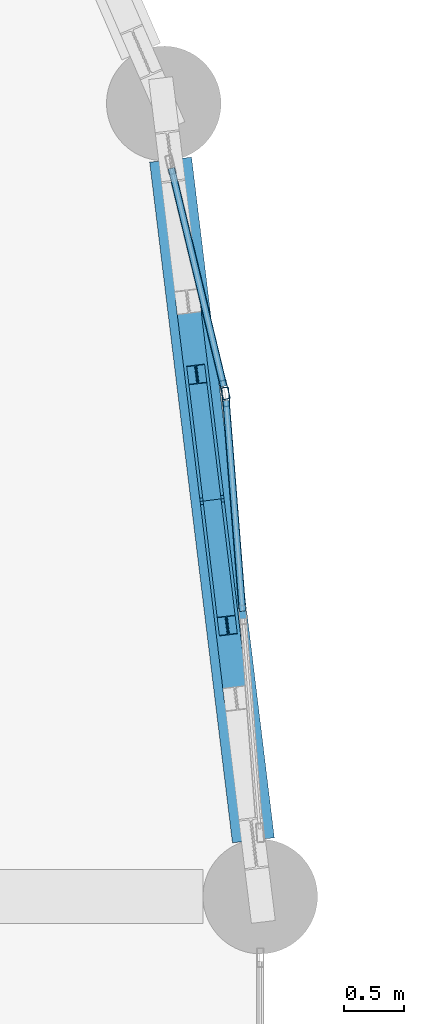
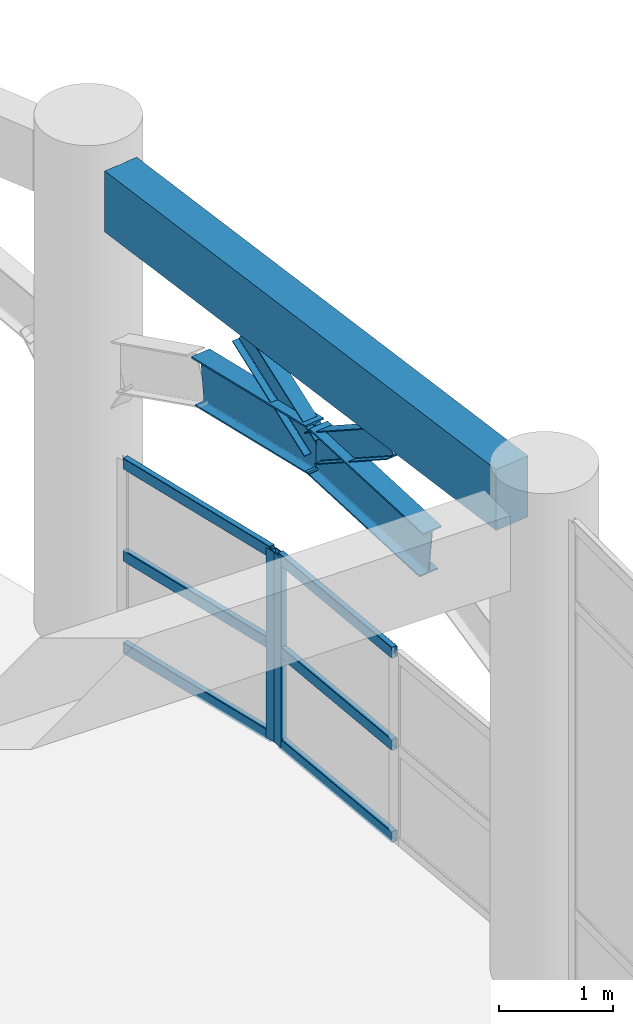
# One storey, part 74 of 114: 10 members, 3 beams, 2 elements without a shape of their own.
"""IFC4 building model written with IfcOpenShell, lengths in metres."""

from ifc_helpers import new_model, si_unit, derived_unit, direction, frame, origin, origin_2d, place, context, subcontext, project, spatial, rectangle, hollow_rectangle, i_section, extrude, material, layer, layer_set, material_profile, profile_set, type_object, element, aggregate, save


model = new_model("IFC4")

# Units and contexts
model_context = context("Model", 3, precision=1e-05, world=origin(), true_north=direction((0.0, 1.0)))
body_context = subcontext(model_context, "Body", "Model", "MODEL_VIEW")
ifc_project = project(units=[si_unit("LENGTHUNIT", "METRE"), si_unit("AREAUNIT", "SQUARE_METRE"), si_unit("VOLUMEUNIT", "CUBIC_METRE"), si_unit("PLANEANGLEUNIT", "RADIAN"), si_unit("MASSUNIT", "GRAM", prefix="KILO"), derived_unit("THERMALTRANSMITTANCEUNIT", [(si_unit("MASSUNIT", "GRAM", prefix="KILO"), 1), (si_unit("TIMEUNIT", "SECOND"), -3), (si_unit("THERMODYNAMICTEMPERATUREUNIT", "KELVIN"), -1)])], contexts=[model_context])

# Site, building, storey
site_placement = place(None, origin())
site = spatial("IfcSite", under=ifc_project, at=site_placement, CompositionType="ELEMENT")
building_placement = place(site_placement, origin())
building = spatial("IfcBuilding", under=site, at=building_placement, Name="Qinzheling Arcade Emporium", CompositionType="ELEMENT")
storey_placement = place(building_placement, frame((0.0, 0.0, 6.0)))
storey = spatial("IfcBuildingStorey", under=building, at=storey_placement, Name="L02", CompositionType="ELEMENT", Elevation=6.0)

# Beams
ifc_material_1 = material(Name="Weathering steel Q355NH", Category="steel")
ifc_material_profile_1 = material_profile(ifc_material_1, i_section(OverallWidth=0.199951171875, OverallDepth=0.5, WebThickness=0.010009765625, FlangeThickness=0.01611328125, FilletRadius=0.01806640625, at=origin_2d()), Name="HN 500x200x10x16", Category="steel")
ifc_profile_set_1 = profile_set([ifc_material_profile_1], Name="Weathering steel Q355NH")
beam_type_1 = type_object("IfcBeamType", Name="Arcade End Arch Rib HN500 Q355NH", PredefinedType="BEAM", material=ifc_profile_set_1)
beam_1_placement = place(storey_placement, frame((147.699951171875, 92.2451171875, 3.52392578125), z_axis=(-0.119797268603, 0.98616994496, 0.114531454599), x_axis=(-0.992702301076, -0.120590801629, 0.0)))
element("IfcBeam", 1, at=beam_1_placement, inside=storey, type_object=beam_type_1, Name="Curved Arcade Entrance Arch ARC-L02-CV6-B01-C03", PredefinedType="BEAM", context=body_context, shape_type="SweptSolid", body=[
    extrude(i_section(OverallWidth=0.199951171875, OverallDepth=0.5, WebThickness=0.010009765625, FlangeThickness=0.01611328125, FilletRadius=0.01806640625, at=origin_2d()), origin(), (0.0, 0.0, 1.0), 1.669189453125),
])
beam_2_placement = place(storey_placement, frame((147.5, 93.89111328125, 3.715087890625), z_axis=(-0.12046077049, 0.986080450533, -0.114606055034), x_axis=(-0.992620810453, -0.121259748702, 0.0)))
element("IfcBeam", 2, at=beam_2_placement, inside=storey, type_object=beam_type_1, Name="Curved Arcade Entrance Arch ARC-L02-CV6-B01-C04", PredefinedType="BEAM", context=body_context, shape_type="SweptSolid", body=[
    extrude(i_section(OverallWidth=0.199951171875, OverallDepth=0.5, WebThickness=0.010009765625, FlangeThickness=0.01611328125, FilletRadius=0.01806640625, at=origin_2d()), origin(), (0.0, 0.0, 1.0), 1.66796875),
])

# Members
ifc_material_profile_2 = material_profile(ifc_material_1, i_section(OverallWidth=0.14990234375, OverallDepth=0.300048828125, WebThickness=0.006591796875, FlangeThickness=0.009033203125, FilletRadius=0.012939453125, at=origin_2d()), Name="HN 300x150x6.5x9", Category="steel")
ifc_profile_set_2 = profile_set([ifc_material_profile_2], Name="Weathering steel Q355NH")
member_type_1 = type_object("IfcMemberType", Name="Arcade Spandrel Web Chord HN300 Q355NH", PredefinedType="CHORD", material=ifc_profile_set_2)
for number, where, z_axis, x_axis, name in (
    (3, (147.5, 93.89111328125, 3.72509765625), (0.10248161912, -0.847658043421, 0.52055101495), (0.99277078385, 0.120025708638, 0.0), "Arcade Spandrel Web Chord ASW-L02-CV6-B01-W1"),
    (4, (147.5, 93.89111328125, 3.72509765625), (-0.103267610544, 0.847588772693, 0.520508475452), (-0.992659504426, -0.120942582545, 0.0), "Arcade Spandrel Web Chord ASW-L02-CV6-B01-W2"),
):
    element("IfcMember", number, at=place(storey_placement, frame(where, z_axis=z_axis, x_axis=x_axis)), inside=storey, type_object=member_type_1, Name=name, PredefinedType="CHORD", context=body_context, shape_type="SweptSolid", body=[
        extrude(i_section(OverallWidth=0.14990234375, OverallDepth=0.300048828125, WebThickness=0.006591796875, FlangeThickness=0.009033203125, FilletRadius=0.012939453125, at=origin_2d()), origin(), (0.0, 0.0, 1.0), 1.229248046875),
    ])

# Curtain wall, member
ifc_material_2 = material(Name="Anodised aluminium and solar-control double glazing", Category="aluminium")
ifc_layer = layer(ifc_material_2, 0.159912109375, Name="Anodised aluminium and solar-control double glazing", Category="aluminium")
ifc_layer_set = layer_set([ifc_layer], Name="Anodised aluminium and solar-control double glazing")
curtain_wall_type = type_object("IfcCurtainWallType", Name="Curved Ribbon Sales Curtain Wall", PredefinedType="NOTDEFINED", material=ifc_layer_set)
curtain_wall_1_placement = place(storey_placement, origin())
curtain_wall_1 = element("IfcCurtainWall", 5, at=curtain_wall_1_placement, inside=storey, type_object=curtain_wall_type, Name="Curtain Wall CW-L02-111", PredefinedType="NOTDEFINED")
ifc_material_3 = material(Name="Anodised aluminium 6063-T6", Category="aluminium")
ifc_material_profile_3 = material_profile(ifc_material_3, hollow_rectangle(XDim=0.06005859375, YDim=0.159912109375, WallThickness=0.00390625, InnerFilletRadius=0.00390625, OuterFilletRadius=0.008056640625, at=origin_2d()), Name="RHS 160x60x4", Category="aluminium")
ifc_profile_set_3 = profile_set([ifc_material_profile_3], Name="Anodised aluminium 6063-T6")
member_type_2 = type_object("IfcMemberType", Name="Curtain Wall Mullion RHS160x60", PredefinedType="MULLION", material=ifc_profile_set_3)
member_1_placement = place(storey_placement, frame((147.60400390625, 94.80517578125, 0.0), z_axis=(0.0, 0.0, 1.0), x_axis=(0.972327728237, 0.233621036939, 0.0)))
member_1 = element("IfcMember", 6, at=member_1_placement, type_object=member_type_2, Name="CW02 mullion 2", PredefinedType="MULLION", context=body_context, shape_type="SweptSolid", body=[
    extrude(hollow_rectangle(XDim=0.06005859375, YDim=0.159912109375, WallThickness=0.00390625, InnerFilletRadius=0.00390625, OuterFilletRadius=0.008056640625, at=origin_2d()), origin(), (0.0, 0.0, 1.0), 2.02490234375),
])

curtain_wall_2_placement = place(storey_placement, origin())
curtain_wall_2 = element("IfcCurtainWall", 7, at=curtain_wall_2_placement, inside=storey, type_object=curtain_wall_type, Name="Curtain Wall CW-L02-112", PredefinedType="NOTDEFINED")
member_2_placement = place(storey_placement, frame((147.61328125, 94.74609375, 0.0), z_axis=(0.0, 0.0, 1.0), x_axis=(0.996923852542, 0.078376222365, 0.0)))
member_2 = element("IfcMember", 8, at=member_2_placement, type_object=member_type_2, Name="CW02 mullion 1", PredefinedType="MULLION", context=body_context, shape_type="SweptSolid", body=[
    extrude(hollow_rectangle(XDim=0.06005859375, YDim=0.159912109375, WallThickness=0.00390625, InnerFilletRadius=0.00390625, OuterFilletRadius=0.008056640625, at=origin_2d()), origin(), (0.0, 0.0, 1.0), 2.02490234375),
])

# Member
ifc_material_profile_4 = material_profile(ifc_material_3, hollow_rectangle(XDim=0.06005859375, YDim=0.1201171875, WallThickness=0.00390625, InnerFilletRadius=0.00390625, OuterFilletRadius=0.008056640625, at=origin_2d()), Name="RHS 120x60x4", Category="aluminium")
ifc_profile_set_4 = profile_set([ifc_material_profile_4], Name="Anodised aluminium 6063-T6")
member_type_3 = type_object("IfcMemberType", Name="Curtain Wall Transom RHS120x60", PredefinedType="USERDEFINED", material=ifc_profile_set_4)
member_3_placement = place(storey_placement, frame((147.162109375, 96.644775390625, 0.030029296875), z_axis=(0.233516760452, -0.972352776819, 0.0), x_axis=(0.972352776819, 0.233516760452, 0.0)))
member_3 = element("IfcMember", 9, at=member_3_placement, type_object=member_type_3, Name="CW02 transom 1.1", ObjectType="TRANSOM", PredefinedType="USERDEFINED", context=body_context, shape_type="SweptSolid", body=[
    extrude(hollow_rectangle(XDim=0.06005859375, YDim=0.1201171875, WallThickness=0.00390625, InnerFilletRadius=0.00390625, OuterFilletRadius=0.008056640625, at=origin_2d()), origin(), (0.0, 0.0, 1.0), 1.862060546875),
])

member_4_placement = place(storey_placement, frame((147.162109375, 96.644775390625, 1.012939453125), z_axis=(0.233516760452, -0.972352776819, 0.0), x_axis=(0.972352776819, 0.233516760452, 0.0)))
member_4 = element("IfcMember", 10, at=member_4_placement, type_object=member_type_3, Name="CW02 transom 1.2", ObjectType="TRANSOM", PredefinedType="USERDEFINED", context=body_context, shape_type="SweptSolid", body=[
    extrude(hollow_rectangle(XDim=0.06005859375, YDim=0.1201171875, WallThickness=0.00390625, InnerFilletRadius=0.00390625, OuterFilletRadius=0.008056640625, at=origin_2d()), origin(), (0.0, 0.0, 1.0), 1.862060546875),
])

member_5_placement = place(storey_placement, frame((147.162109375, 96.644775390625, 1.9951171875), z_axis=(0.233516760452, -0.972352776819, 0.0), x_axis=(0.972352776819, 0.233516760452, 0.0)))
member_5 = element("IfcMember", 11, at=member_5_placement, type_object=member_type_3, Name="CW02 transom 1.3", ObjectType="TRANSOM", PredefinedType="USERDEFINED", context=body_context, shape_type="SweptSolid", body=[
    extrude(hollow_rectangle(XDim=0.06005859375, YDim=0.1201171875, WallThickness=0.00390625, InnerFilletRadius=0.00390625, OuterFilletRadius=0.008056640625, at=origin_2d()), origin(), (0.0, 0.0, 1.0), 1.862060546875),
])

aggregate(curtain_wall_1, [member_1, member_3, member_4, member_5])

member_6_placement = place(storey_placement, frame((147.61572265625, 94.716064453125, 0.030029296875), z_axis=(0.078389322499, -0.996922822549, 0.0), x_axis=(0.996922822549, 0.078389322499, 0.0)))
member_6 = element("IfcMember", 12, at=member_6_placement, type_object=member_type_3, Name="CW02 transom 1.1", ObjectType="TRANSOM", PredefinedType="USERDEFINED", context=body_context, shape_type="SweptSolid", body=[
    extrude(hollow_rectangle(XDim=0.06005859375, YDim=0.1201171875, WallThickness=0.00390625, InnerFilletRadius=0.00390625, OuterFilletRadius=0.008056640625, at=origin_2d()), origin(), (0.0, 0.0, 1.0), 1.75341796875),
])

member_7_placement = place(storey_placement, frame((147.61572265625, 94.716064453125, 1.012939453125), z_axis=(0.078389322499, -0.996922822549, 0.0), x_axis=(0.996922822549, 0.078389322499, 0.0)))
member_7 = element("IfcMember", 13, at=member_7_placement, type_object=member_type_3, Name="CW02 transom 1.2", ObjectType="TRANSOM", PredefinedType="USERDEFINED", context=body_context, shape_type="SweptSolid", body=[
    extrude(hollow_rectangle(XDim=0.06005859375, YDim=0.1201171875, WallThickness=0.00390625, InnerFilletRadius=0.00390625, OuterFilletRadius=0.008056640625, at=origin_2d()), origin(), (0.0, 0.0, 1.0), 1.75341796875),
])

member_8_placement = place(storey_placement, frame((147.61572265625, 94.716064453125, 1.9951171875), z_axis=(0.078389322499, -0.996922822549, 0.0), x_axis=(0.996922822549, 0.078389322499, 0.0)))
member_8 = element("IfcMember", 14, at=member_8_placement, type_object=member_type_3, Name="CW02 transom 1.3", ObjectType="TRANSOM", PredefinedType="USERDEFINED", context=body_context, shape_type="SweptSolid", body=[
    extrude(hollow_rectangle(XDim=0.06005859375, YDim=0.1201171875, WallThickness=0.00390625, InnerFilletRadius=0.00390625, OuterFilletRadius=0.008056640625, at=origin_2d()), origin(), (0.0, 0.0, 1.0), 1.75341796875),
])

aggregate(curtain_wall_2, [member_2, member_6, member_7, member_8])

# Beam
ifc_material_4 = material(Name="Concrete C40", Category="concrete")
ifc_material_profile_5 = material_profile(ifc_material_4, rectangle(XDim=0.35009765625, YDim=0.64990234375, at=origin_2d()), Name="RC 350x650", Category="concrete")
ifc_profile_set_5 = profile_set([ifc_material_profile_5], Name="Concrete C40")
beam_type_2 = type_object("IfcBeamType", Name="RC Spandrel Edge Beam 350x650 C40", PredefinedType="SPANDREL", material=ifc_profile_set_5)
beam_3_placement = place(storey_placement, frame((147.843017578125, 91.06689453125, 4.81005859375), z_axis=(-0.120743975831, 0.992683681895, 0.0), x_axis=(-0.992683681895, -0.120743975831, 0.0)))
element("IfcBeam", 15, at=beam_3_placement, inside=storey, type_object=beam_type_2, Name="Curved Arcade Spandrel BM-L02-CV6-B01", PredefinedType="SPANDREL", context=body_context, shape_type="SweptSolid", body=[
    extrude(rectangle(XDim=0.35009765625, YDim=0.64990234375, at=origin_2d()), origin(), (0.0, 0.0, 1.0), 5.68994140625),
])

save(model, "model.ifc")
